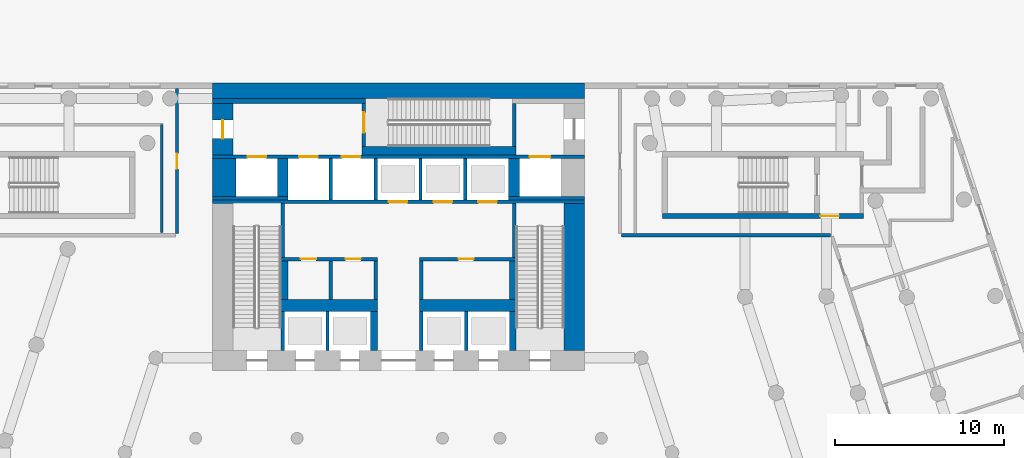
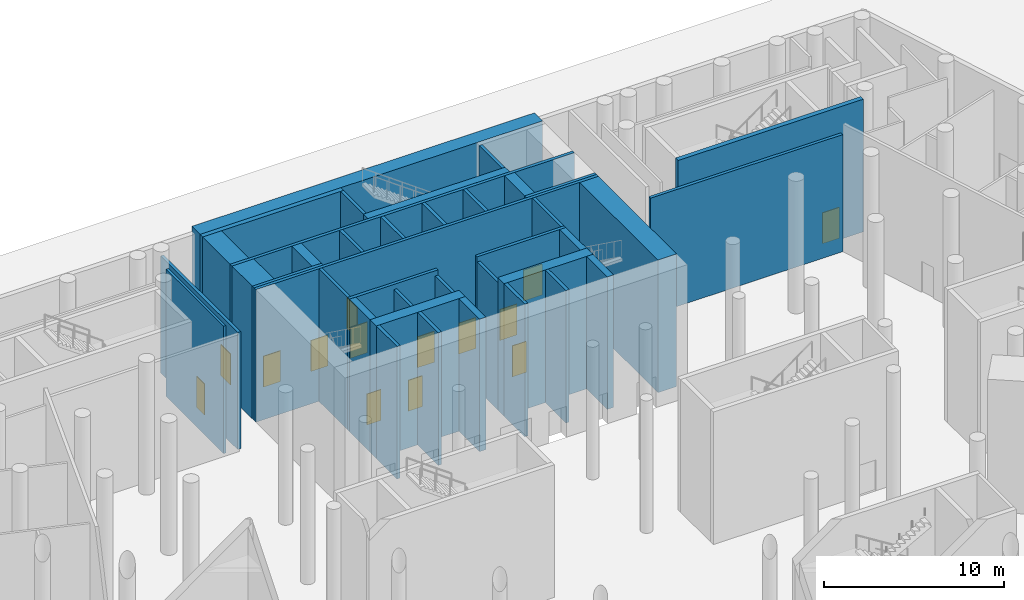
# One storey, part 15 of 25: 39 walls, 14 doors, 14 openings.
"""IFC4 building model written with IfcOpenShell, lengths in metres."""

from ifc_helpers import new_model, si_unit, direction, frame, frame_2d, origin, place, context, subcontext, project, spatial, rectangle, extrude, material, layer, layer_set, type_object, element, fill, save


model = new_model("IFC4")

# Units and contexts
model_context = context("Model", 3, precision=1e-05, world=origin(), true_north=direction((0.0, 1.0)))
body_context = subcontext(model_context, "Body", "Model", "MODEL_VIEW")
ifc_project = project(units=[si_unit("LENGTHUNIT", "METRE"), si_unit("AREAUNIT", "SQUARE_METRE"), si_unit("VOLUMEUNIT", "CUBIC_METRE"), si_unit("PLANEANGLEUNIT", "RADIAN"), si_unit("MASSUNIT", "GRAM", prefix="KILO")], contexts=[model_context])

# Site, building, storey
site_placement = place(None, origin())
site = spatial("IfcSite", under=ifc_project, at=site_placement, CompositionType="ELEMENT")
building_placement = place(site_placement, origin())
building = spatial("IfcBuilding", under=site, at=building_placement, Name="White Candle Pilgrim Tower", CompositionType="ELEMENT")
storey_placement = place(building_placement, origin())
storey = spatial("IfcBuildingStorey", under=building, at=storey_placement, Name="L00", CompositionType="ELEMENT", Elevation=0.0)

# Wall, opening, door
ifc_material_1 = material(Name="Concrete C70/85", Category="concrete")
ifc_layer_1 = layer(ifc_material_1, 1.199951171875)
ifc_layer_set_1 = layer_set([ifc_layer_1], Name="Core wall 1200 mm Concrete C70/85")
wall_type_1 = type_object("IfcWallType", Name="Core wall 1200 mm Concrete C70/85", PredefinedType="SHEAR", material=ifc_layer_set_1)
wall_1_placement = place(storey_placement, frame((59.60009765625, 83.75, 0.0), z_axis=(0.0, 0.0, 1.0), x_axis=(0.0, 1.0, 0.0)))
wall_1 = element("IfcWall", 1, at=wall_1_placement, inside=storey, type_object=wall_type_1, Name="WL-L00-C88", PredefinedType="SHEAR", context=body_context, shape_type="SweptSolid", body=[
    extrude(rectangle(XDim=3.050048828125, YDim=1.199951171875, at=frame_2d((1.52490234375, 0.0))), origin(), (0.0, 0.0, 1.0), 9.0),
])
opening_1_placement = place(wall_1_placement, frame((0.97509765625, 0.0, 0.0)))
opening_1 = element("IfcOpeningElement", 2, at=opening_1_placement, cuts=wall_1, Name="Opening L00-005", PredefinedType="OPENING", context=body_context, shape_type="SweptSolid", body=[
    extrude(rectangle(XDim=1.10009765625, YDim=2.10009765625, at=frame_2d((0.550048828125, 1.050048828125))), frame((0.0, 0.60986328125, 0.0), z_axis=(0.0, -1.0, 0.0), x_axis=(1.0, 0.0, 0.0)), (0.0, 0.0, 1.0), 1.219970703125),
])
ifc_material_2 = material(Name="Steel door leaf", Category="steel")
door_type_1 = type_object("IfcDoorType", Name="Fire door 1100 x 2100 EI 60", OperationType="NOTDEFINED", PredefinedType="DOOR", material=ifc_material_2)
door_1_placement = place(opening_1_placement, origin())
door_1 = element("IfcDoor", 3, at=door_1_placement, inside=storey, type_object=door_type_1, Name="Door L00-005", OperationType="SINGLE_SWING_LEFT", OverallHeight=2.10009765625, OverallWidth=1.10009765625, PredefinedType="DOOR", context=body_context, shape_type="SweptSolid", body=[
    extrude(rectangle(XDim=1.10009765625, YDim=2.10009765625, at=frame_2d((0.550048828125, 1.050048828125))), frame((0.0, 0.02490234375, 0.0), z_axis=(0.0, -1.0, 0.0), x_axis=(1.0, 0.0, 0.0)), (0.0, 0.0, 1.0), 0.050048828125),
])
fill(opening_1, door_1)

# Walls
ifc_layer_2 = layer(ifc_material_1, 1.39990234375)
ifc_layer_set_2 = layer_set([ifc_layer_2], Name="Core wall 1400 mm Concrete C70/85")
wall_type_2 = type_object("IfcWallType", Name="Core wall 1400 mm Concrete C70/85", PredefinedType="SHEAR", material=ifc_layer_set_2)
wall_2_placement = place(storey_placement, frame((59.699951171875, 81.300048828125, 0.0), z_axis=(0.0, 0.0, 1.0), x_axis=(0.0, 1.0, 0.0)))
element("IfcWall", 4, at=wall_2_placement, inside=storey, type_object=wall_type_2, Name="WL-L00-C75", PredefinedType="SHEAR", context=body_context, shape_type="SweptSolid", body=[
    extrude(rectangle(XDim=2.25, YDim=1.39990234375, at=frame_2d((1.125, 0.0))), origin(), (0.0, 0.0, 1.0), 9.0),
])
ifc_layer_3 = layer(ifc_material_1, 0.199951171875)
ifc_layer_set_3 = layer_set([ifc_layer_3], Name="Core wall 200 mm Concrete C70/85")
wall_type_3 = type_object("IfcWallType", Name="Core wall 200 mm Concrete C70/85", PredefinedType="SHEAR", material=ifc_layer_set_3)
wall_3_placement = place(storey_placement, frame((59.0, 81.199951171875, 0.0), z_axis=(0.0, 0.0, 1.0), x_axis=(1.0, 0.0, 0.0)))
element("IfcWall", 5, at=wall_3_placement, inside=storey, type_object=wall_type_3, Name="WL-L00-C69", PredefinedType="SHEAR", context=body_context, shape_type="SweptSolid", body=[
    extrude(rectangle(XDim=4.449951171875, YDim=0.199951171875, at=frame_2d((2.22509765625, 0.0))), origin(), (0.0, 0.0, 1.0), 9.0),
])
wall_4_placement = place(storey_placement, frame((76.5, 81.199951171875, 0.0), z_axis=(0.0, 0.0, 1.0), x_axis=(1.0, 0.0, 0.0)))
element("IfcWall", 6, at=wall_4_placement, inside=storey, type_object=wall_type_3, Name="WL-L00-C74", PredefinedType="SHEAR", context=body_context, shape_type="SweptSolid", body=[
    extrude(rectangle(XDim=4.5, YDim=0.199951171875, at=frame_2d((2.25, 0.0))), origin(), (0.0, 0.0, 1.0), 9.0),
])

# Wall, openings, doors
wall_5_placement = place(storey_placement, frame((59.0, 83.64990234375, 0.0), z_axis=(0.0, 0.0, 1.0), x_axis=(1.0, 0.0, 0.0)))
wall_5 = element("IfcWall", 7, at=wall_5_placement, inside=storey, type_object=wall_type_3, Name="WL-L00-C85", PredefinedType="SHEAR", context=body_context, shape_type="SweptSolid", body=[
    extrude(rectangle(XDim=22.0, YDim=0.199951171875, at=frame_2d((11.0, 0.0))), origin(), (0.0, 0.0, 1.0), 9.0),
])
opening_2_placement = place(wall_5_placement, frame((5.125, 0.0, 0.0)))
opening_2 = element("IfcOpeningElement", 8, at=opening_2_placement, cuts=wall_5, Name="Opening L00-031", PredefinedType="OPENING", context=body_context, shape_type="SweptSolid", body=[
    extrude(rectangle(XDim=1.10009765625, YDim=2.10009765625, at=frame_2d((0.550048828125, 1.050048828125))), frame((0.0, 0.10986328125, 0.0), z_axis=(0.0, -1.0, 0.0), x_axis=(1.0, 0.0, 0.0)), (0.0, 0.0, 1.0), 0.219970703125),
])
opening_3_placement = place(wall_5_placement, frame((7.64990234375, 0.0, 0.0)))
opening_3 = element("IfcOpeningElement", 9, at=opening_3_placement, cuts=wall_5, Name="Opening L00-032", PredefinedType="OPENING", context=body_context, shape_type="SweptSolid", body=[
    extrude(rectangle(XDim=1.10009765625, YDim=2.10009765625, at=frame_2d((0.550048828125, 1.050048828125))), frame((0.0, 0.10986328125, 0.0), z_axis=(0.0, -1.0, 0.0), x_axis=(1.0, 0.0, 0.0)), (0.0, 0.0, 1.0), 0.219970703125),
])
opening_4_placement = place(wall_5_placement, frame((18.77490234375, 0.0, 0.0)))
opening_4 = element("IfcOpeningElement", 10, at=opening_4_placement, cuts=wall_5, Name="Opening L00-040", PredefinedType="OPENING", context=body_context, shape_type="SweptSolid", body=[
    extrude(rectangle(XDim=1.199951171875, YDim=2.10009765625, at=frame_2d((0.60009765625, 1.050048828125))), frame((0.0, 0.10986328125, 0.0), z_axis=(0.0, -1.0, 0.0), x_axis=(1.0, 0.0, 0.0)), (0.0, 0.0, 1.0), 0.219970703125),
])
opening_5_placement = place(wall_5_placement, frame((2.074951171875, 0.0, 0.0)))
opening_5 = element("IfcOpeningElement", 11, at=opening_5_placement, cuts=wall_5, Name="Opening L00-041", PredefinedType="OPENING", context=body_context, shape_type="SweptSolid", body=[
    extrude(rectangle(XDim=1.10009765625, YDim=2.10009765625, at=frame_2d((0.550048828125, 1.050048828125))), frame((0.0, 0.10986328125, 0.0), z_axis=(0.0, -1.0, 0.0), x_axis=(1.0, 0.0, 0.0)), (0.0, 0.0, 1.0), 0.219970703125),
])
ifc_material_3 = material(Name="Stainless steel", Category="steel")
door_type_2 = type_object("IfcDoorType", Name="Lift landing door 1100 x 2100 EI 60", OperationType="DOUBLE_DOOR_SLIDING", PredefinedType="DOOR", material=ifc_material_3)
door_2_placement = place(opening_2_placement, origin())
door_2 = element("IfcDoor", 12, at=door_2_placement, inside=storey, type_object=door_type_2, Name="Door L00-031", OperationType="DOUBLE_DOOR_SLIDING", OverallHeight=2.10009765625, OverallWidth=1.10009765625, PredefinedType="DOOR", context=body_context, shape_type="SweptSolid", body=[
    extrude(rectangle(XDim=1.10009765625, YDim=2.10009765625, at=frame_2d((0.550048828125, 1.050048828125))), frame((0.0, 0.02490234375, 0.0), z_axis=(0.0, -1.0, 0.0), x_axis=(1.0, 0.0, 0.0)), (0.0, 0.0, 1.0), 0.050048828125),
])
fill(opening_2, door_2)
door_3_placement = place(opening_3_placement, origin())
door_3 = element("IfcDoor", 13, at=door_3_placement, inside=storey, type_object=door_type_2, Name="Door L00-032", OperationType="DOUBLE_DOOR_SLIDING", OverallHeight=2.10009765625, OverallWidth=1.10009765625, PredefinedType="DOOR", context=body_context, shape_type="SweptSolid", body=[
    extrude(rectangle(XDim=1.10009765625, YDim=2.10009765625, at=frame_2d((0.550048828125, 1.050048828125))), frame((0.0, 0.02490234375, 0.0), z_axis=(0.0, -1.0, 0.0), x_axis=(1.0, 0.0, 0.0)), (0.0, 0.0, 1.0), 0.050048828125),
])
fill(opening_3, door_3)
door_4_placement = place(opening_5_placement, origin())
door_4 = element("IfcDoor", 14, at=door_4_placement, inside=storey, type_object=door_type_2, Name="Door L00-041", OperationType="DOUBLE_DOOR_SLIDING", OverallHeight=2.10009765625, OverallWidth=1.10009765625, PredefinedType="DOOR", context=body_context, shape_type="SweptSolid", body=[
    extrude(rectangle(XDim=1.10009765625, YDim=2.10009765625, at=frame_2d((0.550048828125, 1.050048828125))), frame((0.0, 0.02490234375, 0.0), z_axis=(0.0, -1.0, 0.0), x_axis=(1.0, 0.0, 0.0)), (0.0, 0.0, 1.0), 0.050048828125),
])
fill(opening_5, door_4)
door_type_3 = type_object("IfcDoorType", Name="Lift landing door 1200 x 2100 E 60", OperationType="DOUBLE_DOOR_SLIDING", PredefinedType="DOOR", material=ifc_material_3)
door_5_placement = place(opening_4_placement, origin())
door_5 = element("IfcDoor", 15, at=door_5_placement, inside=storey, type_object=door_type_3, Name="Door L00-040", OperationType="DOUBLE_DOOR_SLIDING", OverallHeight=2.10009765625, OverallWidth=1.199951171875, PredefinedType="DOOR", context=body_context, shape_type="SweptSolid", body=[
    extrude(rectangle(XDim=1.199951171875, YDim=2.10009765625, at=frame_2d((0.60009765625, 1.050048828125))), frame((0.0, 0.02490234375, 0.0), z_axis=(0.0, -1.0, 0.0), x_axis=(1.0, 0.0, 0.0)), (0.0, 0.0, 1.0), 0.050048828125),
])
fill(opening_4, door_5)

# Wall, opening, door
ifc_material_4 = material(Name="Gypsum board on steel studs", Category="steel")
ifc_layer_4 = layer(ifc_material_4, 0.199951171875)
ifc_layer_set_4 = layer_set([ifc_layer_4], Name="Corridor wall 200 mm EI 45")
wall_type_4 = type_object("IfcWallType", Name="Corridor wall 200 mm EI 45", PredefinedType="PARTITIONING", material=ifc_layer_set_4)
wall_6_placement = place(storey_placement, frame((56.89990234375, 79.10009765625, 0.0), z_axis=(0.0, 0.0, 1.0), x_axis=(0.0, 1.0, 0.0)))
wall_6 = element("IfcWall", 16, at=wall_6_placement, inside=storey, type_object=wall_type_4, Name="WL-L00-P007", PredefinedType="PARTITIONING", context=body_context, shape_type="SweptSolid", body=[
    extrude(rectangle(XDim=8.579833984375, YDim=0.199951171875, at=frame_2d((4.2900390625, 0.0))), origin(), (0.0, 0.0, 1.0), 7.949951171875),
])
opening_6_placement = place(wall_6_placement, frame((3.840087890625, 0.0, 0.0)))
opening_6 = element("IfcOpeningElement", 17, at=opening_6_placement, cuts=wall_6, Name="Opening L00-124", PredefinedType="OPENING", context=body_context, shape_type="SweptSolid", body=[
    extrude(rectangle(XDim=0.89990234375, YDim=2.10009765625, at=frame_2d((0.449951171875, 1.050048828125))), frame((0.0, 0.10986328125, 0.0), z_axis=(0.0, -1.0, 0.0), x_axis=(1.0, 0.0, 0.0)), (0.0, 0.0, 1.0), 0.219970703125),
])
door_type_4 = type_object("IfcDoorType", Name="Fire door 900 x 2100 EI 30", OperationType="NOTDEFINED", PredefinedType="DOOR", material=ifc_material_2)
door_6_placement = place(opening_6_placement, origin())
door_6 = element("IfcDoor", 18, at=door_6_placement, inside=storey, type_object=door_type_4, Name="Door L00-124", OperationType="SINGLE_SWING_RIGHT", OverallHeight=2.10009765625, OverallWidth=0.89990234375, PredefinedType="DOOR", context=body_context, shape_type="SweptSolid", body=[
    extrude(rectangle(XDim=0.89990234375, YDim=2.10009765625, at=frame_2d((0.449951171875, 1.050048828125))), frame((0.0, 0.02490234375, 0.0), z_axis=(0.0, -1.0, 0.0), x_axis=(1.0, 0.0, 0.0)), (0.0, 0.0, 1.0), 0.050048828125),
])
fill(opening_6, door_6)

# Walls
wall_7_placement = place(storey_placement, frame((83.199951171875, 79.0, 0.0), z_axis=(0.0, 0.0, 1.0), x_axis=(1.0, 0.0, 0.0)))
element("IfcWall", 19, at=wall_7_placement, inside=storey, type_object=wall_type_4, Name="WL-L00-P009", PredefinedType="PARTITIONING", context=body_context, shape_type="SweptSolid", body=[
    extrude(rectangle(XDim=12.345947265625, YDim=0.199951171875, at=frame_2d((6.1728515625, 0.0))), origin(), (0.0, 0.0, 1.0), 7.949951171875),
])
ifc_layer_5 = layer(ifc_material_4, 0.199951171875)
ifc_layer_set_5 = layer_set([ifc_layer_5], Name="Lobby wall 200 mm EI 60")
wall_type_5 = type_object("IfcWallType", Name="Lobby wall 200 mm EI 60", PredefinedType="PARTITIONING", material=ifc_layer_set_5)
for number, where, z_axis, x_axis, name in (
    (20, (66.0, 75.199951171875, 0.0), (0.0, 0.0, 1.0), (0.0, 1.0, 0.0), "WL-L00-C51"),
    (21, (68.64990234375, 75.199951171875, 0.0), (0.0, 0.0, 1.0), (0.0, 1.0, 0.0), "WL-L00-C52"),
    (22, (71.35009765625, 75.199951171875, 0.0), (0.0, 0.0, 1.0), (0.0, 1.0, 0.0), "WL-L00-C53"),
):
    element("IfcWall", number, at=place(storey_placement, frame(where, z_axis=z_axis, x_axis=x_axis)), inside=storey, type_object=wall_type_5, Name=name, PredefinedType="PARTITIONING", context=body_context, shape_type="SweptSolid", body=[
        extrude(rectangle(XDim=2.300048828125, YDim=0.199951171875, at=frame_2d((1.14990234375, 0.0))), origin(), (0.0, 0.0, 1.0), 8.64990234375),
    ])
ifc_layer_6 = layer(ifc_material_4, 0.14990234375)
ifc_layer_set_6 = layer_set([ifc_layer_6], Name="Partition 150 mm EI 60")
wall_type_6 = type_object("IfcWallType", Name="Partition 150 mm EI 60", PredefinedType="PARTITIONING", material=ifc_layer_set_6)
wall_8_placement = place(storey_placement, frame((56.0, 79.159912109375, 0.0), z_axis=(0.0, 0.0, 1.0), x_axis=(0.0, 1.0, 0.0)))
element("IfcWall", 23, at=wall_8_placement, inside=storey, type_object=wall_type_6, Name="WL-L00-P062", PredefinedType="PARTITIONING", context=body_context, shape_type="SweptSolid", body=[
    extrude(rectangle(XDim=6.39013671875, YDim=0.14990234375, at=frame_2d((3.195068359375, 0.0))), origin(), (0.0, 0.0, 1.0), 8.64990234375),
])
ifc_layer_7 = layer(ifc_material_1, 0.199951171875)
ifc_layer_set_7 = layer_set([ifc_layer_7], Name="Shaft wall 200 mm Concrete C70/85")
wall_type_7 = type_object("IfcWallType", Name="Shaft wall 200 mm Concrete C70/85", PredefinedType="SHEAR", material=ifc_layer_set_7)
for number, where, z_axis, x_axis, name in (
    (24, (65.800048828125, 72.199951171875, 0.0), (0.0, 0.0, 1.0), (0.0, 1.0, 0.0), "WL-L00-C42"),
    (25, (71.35009765625, 72.199951171875, 0.0), (0.0, 0.0, 1.0), (0.0, 1.0, 0.0), "WL-L00-C44"),
    (26, (74.0, 72.199951171875, 0.0), (0.0, 0.0, 1.0), (0.0, 1.0, 0.0), "WL-L00-C45"),
):
    element("IfcWall", number, at=place(storey_placement, frame(where, z_axis=z_axis, x_axis=x_axis)), inside=storey, type_object=wall_type_7, Name=name, PredefinedType="SHEAR", context=body_context, shape_type="SweptSolid", body=[
        extrude(rectangle(XDim=2.300048828125, YDim=0.199951171875, at=frame_2d((1.14990234375, 0.0))), origin(), (0.0, 0.0, 1.0), 9.0),
    ])
for number, where, z_axis, x_axis, name in (
    (27, (66.0, 81.10009765625, 0.0), (0.0, 0.0, 1.0), (0.0, 1.0, 0.0), "WL-L00-C70"),
    (28, (68.64990234375, 81.10009765625, 0.0), (0.0, 0.0, 1.0), (0.0, 1.0, 0.0), "WL-L00-C71"),
    (29, (71.300048828125, 81.10009765625, 0.0), (0.0, 0.0, 1.0), (0.0, 1.0, 0.0), "WL-L00-C72"),
    (30, (73.949951171875, 81.10009765625, 0.0), (0.0, 0.0, 1.0), (0.0, 1.0, 0.0), "WL-L00-C73"),
):
    element("IfcWall", number, at=place(storey_placement, frame(where, z_axis=z_axis, x_axis=x_axis)), inside=storey, type_object=wall_type_7, Name=name, PredefinedType="SHEAR", context=body_context, shape_type="SweptSolid", body=[
        extrude(rectangle(XDim=2.449951171875, YDim=0.199951171875, at=frame_2d((1.22509765625, 0.0))), origin(), (0.0, 0.0, 1.0), 9.0),
    ])
ifc_layer_8 = layer(ifc_material_1, 0.39990234375)
ifc_layer_set_8 = layer_set([ifc_layer_8], Name="Shaft wall 400 mm Concrete C70/85")
wall_type_8 = type_object("IfcWallType", Name="Shaft wall 400 mm Concrete C70/85", PredefinedType="SHEAR", material=ifc_layer_set_8)
wall_9_placement = place(storey_placement, frame((68.550048828125, 72.199951171875, 0.0), z_axis=(0.0, 0.0, 1.0), x_axis=(0.0, 1.0, 0.0)))
element("IfcWall", 31, at=wall_9_placement, inside=storey, type_object=wall_type_8, Name="WL-L00-C43", PredefinedType="SHEAR", context=body_context, shape_type="SweptSolid", body=[
    extrude(rectangle(XDim=2.300048828125, YDim=0.39990234375, at=frame_2d((1.14990234375, 0.0))), origin(), (0.0, 0.0, 1.0), 9.0),
])
ifc_layer_9 = layer(ifc_material_1, 0.60009765625)
ifc_layer_set_9 = layer_set([ifc_layer_9], Name="Shaft wall 600 mm Concrete C70/85")
wall_type_9 = type_object("IfcWallType", Name="Shaft wall 600 mm Concrete C70/85", PredefinedType="SHEAR", material=ifc_layer_set_9)
wall_10_placement = place(storey_placement, frame((63.14990234375, 81.300048828125, 0.0), z_axis=(0.0, 0.0, 1.0), x_axis=(0.0, 1.0, 0.0)))
element("IfcWall", 32, at=wall_10_placement, inside=storey, type_object=wall_type_9, Name="WL-L00-C76", PredefinedType="SHEAR", context=body_context, shape_type="SweptSolid", body=[
    extrude(rectangle(XDim=2.25, YDim=0.60009765625, at=frame_2d((1.125, 0.0))), origin(), (0.0, 0.0, 1.0), 9.0),
])
ifc_layer_10 = layer(ifc_material_1, 0.64990234375)
ifc_layer_set_10 = layer_set([ifc_layer_10], Name="Shaft wall 650 mm Concrete C70/85")
wall_type_10 = type_object("IfcWallType", Name="Shaft wall 650 mm Concrete C70/85", PredefinedType="SHEAR", material=ifc_layer_set_10)
wall_11_placement = place(storey_placement, frame((76.824951171875, 81.300048828125, 0.0), z_axis=(0.0, 0.0, 1.0), x_axis=(0.0, 1.0, 0.0)))
element("IfcWall", 33, at=wall_11_placement, inside=storey, type_object=wall_type_10, Name="WL-L00-C77", PredefinedType="SHEAR", context=body_context, shape_type="SweptSolid", body=[
    extrude(rectangle(XDim=2.25, YDim=0.64990234375, at=frame_2d((1.125, 0.0))), origin(), (0.0, 0.0, 1.0), 9.0),
])
ifc_layer_11 = layer(ifc_material_1, 1.199951171875)
ifc_layer_set_11 = layer_set([ifc_layer_11], Name="Stair shaft wall 1200 mm Concrete C70/85")
wall_type_11 = type_object("IfcWallType", Name="Stair shaft wall 1200 mm Concrete C70/85", PredefinedType="SHEAR", material=ifc_layer_set_11)
wall_12_placement = place(storey_placement, frame((80.39990234375, 72.199951171875, 0.0), z_axis=(0.0, 0.0, 1.0), x_axis=(0.0, 1.0, 0.0)))
element("IfcWall", 34, at=wall_12_placement, inside=storey, type_object=wall_type_11, Name="WL-L00-C47", PredefinedType="SHEAR", context=body_context, shape_type="SweptSolid", body=[
    extrude(rectangle(XDim=8.699951171875, YDim=1.199951171875, at=frame_2d((4.35009765625, 0.0))), origin(), (0.0, 0.0, 1.0), 9.0),
])
ifc_layer_12 = layer(ifc_material_1, 0.199951171875)
ifc_layer_set_12 = layer_set([ifc_layer_12], Name="Stair shaft wall 200 mm Concrete C70/85")
wall_type_12 = type_object("IfcWallType", Name="Stair shaft wall 200 mm Concrete C70/85", PredefinedType="SHEAR", material=ifc_layer_set_12)
wall_13_placement = place(storey_placement, frame((63.14990234375, 72.199951171875, 0.0), z_axis=(0.0, 0.0, 1.0), x_axis=(0.0, 1.0, 0.0)))
element("IfcWall", 35, at=wall_13_placement, inside=storey, type_object=wall_type_12, Name="WL-L00-C41", PredefinedType="SHEAR", context=body_context, shape_type="SweptSolid", body=[
    extrude(rectangle(XDim=2.300048828125, YDim=0.199951171875, at=frame_2d((1.14990234375, 0.0))), origin(), (0.0, 0.0, 1.0), 9.0),
])

# Wall, openings, doors
wall_14_placement = place(storey_placement, frame((63.050048828125, 77.60009765625, 0.0), z_axis=(0.0, 0.0, 1.0), x_axis=(1.0, 0.0, 0.0)))
wall_14 = element("IfcWall", 36, at=wall_14_placement, inside=storey, type_object=wall_type_12, Name="WL-L00-C55", PredefinedType="SHEAR", context=body_context, shape_type="SweptSolid", body=[
    extrude(rectangle(XDim=5.699951171875, YDim=0.199951171875, at=frame_2d((2.85009765625, 0.0))), origin(), (0.0, 0.0, 1.0), 9.0),
])
opening_7_placement = place(wall_14_placement, frame((1.175048828125, 0.0, 0.0)))
opening_7 = element("IfcOpeningElement", 37, at=opening_7_placement, cuts=wall_14, Name="Opening L00-042", PredefinedType="OPENING", context=body_context, shape_type="SweptSolid", body=[
    extrude(rectangle(XDim=0.89990234375, YDim=2.10009765625, at=frame_2d((0.449951171875, 1.050048828125))), frame((0.0, 0.10986328125, 0.0), z_axis=(0.0, -1.0, 0.0), x_axis=(1.0, 0.0, 0.0)), (0.0, 0.0, 1.0), 0.219970703125),
])
opening_8_placement = place(wall_14_placement, frame((3.824951171875, 0.0, 0.0)))
opening_8 = element("IfcOpeningElement", 38, at=opening_8_placement, cuts=wall_14, Name="Opening L00-043", PredefinedType="OPENING", context=body_context, shape_type="SweptSolid", body=[
    extrude(rectangle(XDim=0.89990234375, YDim=2.10009765625, at=frame_2d((0.449951171875, 1.050048828125))), frame((0.0, 0.10986328125, 0.0), z_axis=(0.0, -1.0, 0.0), x_axis=(1.0, 0.0, 0.0)), (0.0, 0.0, 1.0), 0.219970703125),
])
door_7_placement = place(opening_7_placement, origin())
door_7 = element("IfcDoor", 39, at=door_7_placement, inside=storey, type_object=door_type_4, Name="Door L00-042", OperationType="SINGLE_SWING_RIGHT", OverallHeight=2.10009765625, OverallWidth=0.89990234375, PredefinedType="DOOR", context=body_context, shape_type="SweptSolid", body=[
    extrude(rectangle(XDim=0.89990234375, YDim=2.10009765625, at=frame_2d((0.449951171875, 1.050048828125))), frame((0.0, 0.02490234375, 0.0), z_axis=(0.0, -1.0, 0.0), x_axis=(1.0, 0.0, 0.0)), (0.0, 0.0, 1.0), 0.050048828125),
])
fill(opening_7, door_7)
door_8_placement = place(opening_8_placement, origin())
door_8 = element("IfcDoor", 40, at=door_8_placement, inside=storey, type_object=door_type_4, Name="Door L00-043", OperationType="SINGLE_SWING_LEFT", OverallHeight=2.10009765625, OverallWidth=0.89990234375, PredefinedType="DOOR", context=body_context, shape_type="SweptSolid", body=[
    extrude(rectangle(XDim=0.89990234375, YDim=2.10009765625, at=frame_2d((0.449951171875, 1.050048828125))), frame((0.0, 0.02490234375, 0.0), z_axis=(0.0, -1.0, 0.0), x_axis=(1.0, 0.0, 0.0)), (0.0, 0.0, 1.0), 0.050048828125),
])
fill(opening_8, door_8)

# Wall, opening, door
wall_15_placement = place(storey_placement, frame((71.25, 77.60009765625, 0.0), z_axis=(0.0, 0.0, 1.0), x_axis=(1.0, 0.0, 0.0)))
wall_15 = element("IfcWall", 41, at=wall_15_placement, inside=storey, type_object=wall_type_12, Name="WL-L00-C56", PredefinedType="SHEAR", context=body_context, shape_type="SweptSolid", body=[
    extrude(rectangle(XDim=5.699951171875, YDim=0.199951171875, at=frame_2d((2.85009765625, 0.0))), origin(), (0.0, 0.0, 1.0), 9.0),
])
opening_9_placement = place(wall_15_placement, frame((2.300048828125, 0.0, 0.0)))
opening_9 = element("IfcOpeningElement", 42, at=opening_9_placement, cuts=wall_15, Name="Opening L00-044", PredefinedType="OPENING", context=body_context, shape_type="SweptSolid", body=[
    extrude(rectangle(XDim=0.89990234375, YDim=2.10009765625, at=frame_2d((0.449951171875, 1.050048828125))), frame((0.0, 0.10986328125, 0.0), z_axis=(0.0, -1.0, 0.0), x_axis=(1.0, 0.0, 0.0)), (0.0, 0.0, 1.0), 0.219970703125),
])
door_9_placement = place(opening_9_placement, origin())
door_9 = element("IfcDoor", 43, at=door_9_placement, inside=storey, type_object=door_type_4, Name="Door L00-044", OperationType="SINGLE_SWING_RIGHT", OverallHeight=2.10009765625, OverallWidth=0.89990234375, PredefinedType="DOOR", context=body_context, shape_type="SweptSolid", body=[
    extrude(rectangle(XDim=0.89990234375, YDim=2.10009765625, at=frame_2d((0.449951171875, 1.050048828125))), frame((0.0, 0.02490234375, 0.0), z_axis=(0.0, -1.0, 0.0), x_axis=(1.0, 0.0, 0.0)), (0.0, 0.0, 1.0), 0.050048828125),
])
fill(opening_9, door_9)

# Walls
for number, where, z_axis, x_axis, name in (
    (44, (63.14990234375, 77.699951171875, 0.0), (0.0, 0.0, 1.0), (0.0, 1.0, 0.0), "WL-L00-C57"),
    (45, (76.85009765625, 77.699951171875, 0.0), (0.0, 0.0, 1.0), (0.0, 1.0, 0.0), "WL-L00-C58"),
):
    element("IfcWall", number, at=place(storey_placement, frame(where, z_axis=z_axis, x_axis=x_axis)), inside=storey, type_object=wall_type_12, Name=name, PredefinedType="SHEAR", context=body_context, shape_type="SweptSolid", body=[
        extrude(rectangle(XDim=3.199951171875, YDim=0.199951171875, at=frame_2d((1.60009765625, 0.0))), origin(), (0.0, 0.0, 1.0), 9.0),
    ])

# Wall, openings, doors
wall_16_placement = place(storey_placement, frame((59.0, 81.0, 0.0), z_axis=(0.0, 0.0, 1.0), x_axis=(1.0, 0.0, 0.0)))
wall_16 = element("IfcWall", 46, at=wall_16_placement, inside=storey, type_object=wall_type_12, Name="WL-L00-C68", PredefinedType="SHEAR", context=body_context, shape_type="SweptSolid", body=[
    extrude(rectangle(XDim=22.0, YDim=0.199951171875, at=frame_2d((11.0, 0.0))), origin(), (0.0, 0.0, 1.0), 9.0),
])
opening_10_placement = place(wall_16_placement, frame((10.425048828125, 0.0, 0.0)))
opening_10 = element("IfcOpeningElement", 47, at=opening_10_placement, cuts=wall_16, Name="Opening L00-033", PredefinedType="OPENING", context=body_context, shape_type="SweptSolid", body=[
    extrude(rectangle(XDim=1.10009765625, YDim=2.10009765625, at=frame_2d((0.550048828125, 1.050048828125))), frame((0.0, 0.10986328125, 0.0), z_axis=(0.0, -1.0, 0.0), x_axis=(1.0, 0.0, 0.0)), (0.0, 0.0, 1.0), 0.219970703125),
])
opening_11_placement = place(wall_16_placement, frame((13.074951171875, 0.0, 0.0)))
opening_11 = element("IfcOpeningElement", 48, at=opening_11_placement, cuts=wall_16, Name="Opening L00-034", PredefinedType="OPENING", context=body_context, shape_type="SweptSolid", body=[
    extrude(rectangle(XDim=1.10009765625, YDim=2.10009765625, at=frame_2d((0.550048828125, 1.050048828125))), frame((0.0, 0.10986328125, 0.0), z_axis=(0.0, -1.0, 0.0), x_axis=(1.0, 0.0, 0.0)), (0.0, 0.0, 1.0), 0.219970703125),
])
opening_12_placement = place(wall_16_placement, frame((15.72509765625, 0.0, 0.0)))
opening_12 = element("IfcOpeningElement", 49, at=opening_12_placement, cuts=wall_16, Name="Opening L00-035", PredefinedType="OPENING", context=body_context, shape_type="SweptSolid", body=[
    extrude(rectangle(XDim=1.10009765625, YDim=2.10009765625, at=frame_2d((0.550048828125, 1.050048828125))), frame((0.0, 0.10986328125, 0.0), z_axis=(0.0, -1.0, 0.0), x_axis=(1.0, 0.0, 0.0)), (0.0, 0.0, 1.0), 0.219970703125),
])
door_type_5 = type_object("IfcDoorType", Name="Lift landing door 1100 x 2100 E 60", OperationType="DOUBLE_DOOR_SLIDING", PredefinedType="DOOR", material=ifc_material_3)
door_10_placement = place(opening_10_placement, origin())
door_10 = element("IfcDoor", 50, at=door_10_placement, inside=storey, type_object=door_type_5, Name="Door L00-033", OperationType="DOUBLE_DOOR_SLIDING", OverallHeight=2.10009765625, OverallWidth=1.10009765625, PredefinedType="DOOR", context=body_context, shape_type="SweptSolid", body=[
    extrude(rectangle(XDim=1.10009765625, YDim=2.10009765625, at=frame_2d((0.550048828125, 1.050048828125))), frame((0.0, 0.02490234375, 0.0), z_axis=(0.0, -1.0, 0.0), x_axis=(1.0, 0.0, 0.0)), (0.0, 0.0, 1.0), 0.050048828125),
])
fill(opening_10, door_10)
door_11_placement = place(opening_11_placement, origin())
door_11 = element("IfcDoor", 51, at=door_11_placement, inside=storey, type_object=door_type_5, Name="Door L00-034", OperationType="DOUBLE_DOOR_SLIDING", OverallHeight=2.10009765625, OverallWidth=1.10009765625, PredefinedType="DOOR", context=body_context, shape_type="SweptSolid", body=[
    extrude(rectangle(XDim=1.10009765625, YDim=2.10009765625, at=frame_2d((0.550048828125, 1.050048828125))), frame((0.0, 0.02490234375, 0.0), z_axis=(0.0, -1.0, 0.0), x_axis=(1.0, 0.0, 0.0)), (0.0, 0.0, 1.0), 0.050048828125),
])
fill(opening_11, door_11)
door_12_placement = place(opening_12_placement, origin())
door_12 = element("IfcDoor", 52, at=door_12_placement, inside=storey, type_object=door_type_5, Name="Door L00-035", OperationType="DOUBLE_DOOR_SLIDING", OverallHeight=2.10009765625, OverallWidth=1.10009765625, PredefinedType="DOOR", context=body_context, shape_type="SweptSolid", body=[
    extrude(rectangle(XDim=1.10009765625, YDim=2.10009765625, at=frame_2d((0.550048828125, 1.050048828125))), frame((0.0, 0.02490234375, 0.0), z_axis=(0.0, -1.0, 0.0), x_axis=(1.0, 0.0, 0.0)), (0.0, 0.0, 1.0), 0.050048828125),
])
fill(opening_12, door_12)

# Wall, opening, door
wall_17_placement = place(storey_placement, frame((67.949951171875, 84.25, 0.0), z_axis=(0.0, 0.0, 1.0), x_axis=(0.0, 1.0, 0.0)))
wall_17 = element("IfcWall", 53, at=wall_17_placement, inside=storey, type_object=wall_type_12, Name="WL-L00-C91", PredefinedType="SHEAR", context=body_context, shape_type="SweptSolid", body=[
    extrude(rectangle(XDim=2.550048828125, YDim=0.199951171875, at=frame_2d((1.27490234375, 0.0))), origin(), (0.0, 0.0, 1.0), 9.0),
])
opening_13_placement = place(wall_17_placement, frame((0.824951171875, 0.0, 0.0)))
opening_13 = element("IfcOpeningElement", 54, at=opening_13_placement, cuts=wall_17, Name="Opening L00-003", PredefinedType="OPENING", context=body_context, shape_type="SweptSolid", body=[
    extrude(rectangle(XDim=1.199951171875, YDim=2.10009765625, at=frame_2d((0.60009765625, 1.050048828125))), frame((0.0, 0.10986328125, 0.0), z_axis=(0.0, -1.0, 0.0), x_axis=(1.0, 0.0, 0.0)), (0.0, 0.0, 1.0), 0.219970703125),
])
door_type_6 = type_object("IfcDoorType", Name="Fire door 1200 x 2100 EI 60", OperationType="NOTDEFINED", PredefinedType="DOOR", material=ifc_material_2)
door_13_placement = place(opening_13_placement, frame((1.199951171875, 0.0, 0.0), z_axis=(0.0, 0.0, 1.0), x_axis=(-1.0, 0.0, 0.0)))
door_13 = element("IfcDoor", 55, at=door_13_placement, inside=storey, type_object=door_type_6, Name="Door L00-003", OperationType="SINGLE_SWING_RIGHT", OverallHeight=2.10009765625, OverallWidth=1.199951171875, PredefinedType="DOOR", context=body_context, shape_type="SweptSolid", body=[
    extrude(rectangle(XDim=1.199951171875, YDim=2.10009765625, at=frame_2d((0.60009765625, 1.050048828125))), frame((0.0, 0.02490234375, 0.0), z_axis=(0.0, -1.0, 0.0), x_axis=(1.0, 0.0, 0.0)), (0.0, 0.0, 1.0), 0.050048828125),
])
fill(opening_13, door_13)

# Wall
wall_18_placement = place(storey_placement, frame((76.85009765625, 84.25, 0.0), z_axis=(0.0, 0.0, 1.0), x_axis=(0.0, 1.0, 0.0)))
element("IfcWall", 56, at=wall_18_placement, inside=storey, type_object=wall_type_12, Name="WL-L00-C92", PredefinedType="SHEAR", context=body_context, shape_type="SweptSolid", body=[
    extrude(rectangle(XDim=2.550048828125, YDim=0.199951171875, at=frame_2d((1.27490234375, 0.0))), origin(), (0.0, 0.0, 1.0), 9.0),
])

# Wall, opening, door
ifc_layer_13 = layer(ifc_material_1, 0.300048828125)
ifc_layer_set_13 = layer_set([ifc_layer_13], Name="Stair shaft wall 300 mm Concrete C70/85")
wall_type_13 = type_object("IfcWallType", Name="Stair shaft wall 300 mm Concrete C70/85", PredefinedType="SHEAR", material=ifc_layer_set_13)
wall_19_placement = place(storey_placement, frame((85.60009765625, 80.14990234375, 0.0), z_axis=(0.0, 0.0, 1.0), x_axis=(1.0, 0.0, 0.0)))
wall_19 = element("IfcWall", 57, at=wall_19_placement, inside=storey, type_object=wall_type_13, Name="WL-L00-C60", PredefinedType="SHEAR", context=body_context, shape_type="SweptSolid", body=[
    extrude(rectangle(XDim=11.89990234375, YDim=0.300048828125, at=frame_2d((5.949951171875, 0.0))), origin(), (0.0, 0.0, 1.0), 9.0),
])
opening_14_placement = place(wall_19_placement, frame((9.35009765625, 0.0, 0.0)))
opening_14 = element("IfcOpeningElement", 58, at=opening_14_placement, cuts=wall_19, Name="Opening L00-028", PredefinedType="OPENING", context=body_context, shape_type="SweptSolid", body=[
    extrude(rectangle(XDim=1.10009765625, YDim=2.10009765625, at=frame_2d((0.550048828125, 1.050048828125))), frame((0.0, 0.159912109375, 0.0), z_axis=(0.0, -1.0, 0.0), x_axis=(1.0, 0.0, 0.0)), (0.0, 0.0, 1.0), 0.320068359375),
])
door_14_placement = place(opening_14_placement, origin())
door_14 = element("IfcDoor", 59, at=door_14_placement, inside=storey, type_object=door_type_1, Name="Door L00-028", OperationType="SINGLE_SWING_RIGHT", OverallHeight=2.10009765625, OverallWidth=1.10009765625, PredefinedType="DOOR", context=body_context, shape_type="SweptSolid", body=[
    extrude(rectangle(XDim=1.10009765625, YDim=2.10009765625, at=frame_2d((0.550048828125, 1.050048828125))), frame((0.0, 0.02490234375, 0.0), z_axis=(0.0, -1.0, 0.0), x_axis=(1.0, 0.0, 0.0)), (0.0, 0.0, 1.0), 0.050048828125),
])
fill(opening_14, door_14)

# Walls
wall_20_placement = place(storey_placement, frame((59.0, 86.949951171875, 0.0), z_axis=(0.0, 0.0, 1.0), x_axis=(1.0, 0.0, 0.0)))
element("IfcWall", 60, at=wall_20_placement, inside=storey, type_object=wall_type_13, Name="WL-L00-C93", PredefinedType="SHEAR", context=body_context, shape_type="SweptSolid", body=[
    extrude(rectangle(XDim=9.050048828125, YDim=0.300048828125, at=frame_2d((4.52490234375, 0.0))), origin(), (0.0, 0.0, 1.0), 9.0),
])
ifc_layer_14 = layer(ifc_material_1, 0.39990234375)
ifc_layer_set_14 = layer_set([ifc_layer_14], Name="Stair shaft wall 400 mm Concrete C70/85")
wall_type_14 = type_object("IfcWallType", Name="Stair shaft wall 400 mm Concrete C70/85", PredefinedType="SHEAR", material=ifc_layer_set_14)
for number, where, z_axis, x_axis, name in (
    (61, (76.75, 72.199951171875, 0.0), (0.0, 0.0, 1.0), (0.0, 1.0, 0.0), "WL-L00-C46"),
    (62, (63.25, 75.199951171875, 0.0), (0.0, 0.0, 1.0), (0.0, 1.0, 0.0), "WL-L00-C50"),
    (63, (76.75, 75.199951171875, 0.0), (0.0, 0.0, 1.0), (0.0, 1.0, 0.0), "WL-L00-C54"),
):
    element("IfcWall", number, at=place(storey_placement, frame(where, z_axis=z_axis, x_axis=x_axis)), inside=storey, type_object=wall_type_14, Name=name, PredefinedType="SHEAR", context=body_context, shape_type="SweptSolid", body=[
        extrude(rectangle(XDim=2.300048828125, YDim=0.39990234375, at=frame_2d((1.14990234375, 0.0))), origin(), (0.0, 0.0, 1.0), 9.0),
    ])
ifc_layer_15 = layer(ifc_material_1, 0.5)
ifc_layer_set_15 = layer_set([ifc_layer_15], Name="Stair shaft wall 500 mm Concrete C70/85")
wall_type_15 = type_object("IfcWallType", Name="Stair shaft wall 500 mm Concrete C70/85", PredefinedType="SHEAR", material=ifc_layer_set_15)
wall_21_placement = place(storey_placement, frame((67.85009765625, 84.0, 0.0), z_axis=(0.0, 0.0, 1.0), x_axis=(1.0, 0.0, 0.0)))
element("IfcWall", 64, at=wall_21_placement, inside=storey, type_object=wall_type_15, Name="WL-L00-C89", PredefinedType="SHEAR", context=body_context, shape_type="SweptSolid", body=[
    extrude(rectangle(XDim=9.099853515625, YDim=0.5, at=frame_2d((4.5498046875, 0.0))), origin(), (0.0, 0.0, 1.0), 9.0),
])
ifc_layer_16 = layer(ifc_material_1, 0.699951171875)
ifc_layer_set_16 = layer_set([ifc_layer_16], Name="Stair shaft wall 700 mm Concrete C70/85")
wall_type_16 = type_object("IfcWallType", Name="Stair shaft wall 700 mm Concrete C70/85", PredefinedType="SHEAR", material=ifc_layer_set_16)
for number, where, z_axis, x_axis, name in (
    (65, (63.050048828125, 74.85009765625, 0.0), (0.0, 0.0, 1.0), (1.0, 0.0, 0.0), "WL-L00-C48"),
    (66, (71.25, 74.85009765625, 0.0), (0.0, 0.0, 1.0), (1.0, 0.0, 0.0), "WL-L00-C49"),
):
    element("IfcWall", number, at=place(storey_placement, frame(where, z_axis=z_axis, x_axis=x_axis)), inside=storey, type_object=wall_type_16, Name=name, PredefinedType="SHEAR", context=body_context, shape_type="SweptSolid", body=[
        extrude(rectangle(XDim=5.699951171875, YDim=0.699951171875, at=frame_2d((2.85009765625, 0.0))), origin(), (0.0, 0.0, 1.0), 9.0),
    ])
ifc_layer_17 = layer(ifc_material_1, 0.89990234375)
ifc_layer_set_17 = layer_set([ifc_layer_17], Name="Stair shaft wall 900 mm Concrete C70/85")
wall_type_17 = type_object("IfcWallType", Name="Stair shaft wall 900 mm Concrete C70/85", PredefinedType="SHEAR", material=ifc_layer_set_17)
wall_22_placement = place(storey_placement, frame((59.0, 87.550048828125, 0.0), z_axis=(0.0, 0.0, 1.0), x_axis=(1.0, 0.0, 0.0)))
element("IfcWall", 67, at=wall_22_placement, inside=storey, type_object=wall_type_17, Name="WL-L00-C95", PredefinedType="SHEAR", context=body_context, shape_type="SweptSolid", body=[
    extrude(rectangle(XDim=22.0, YDim=0.89990234375, at=frame_2d((11.0, 0.0))), origin(), (0.0, 0.0, 1.0), 9.0),
])

save(model, "model.ifc")
